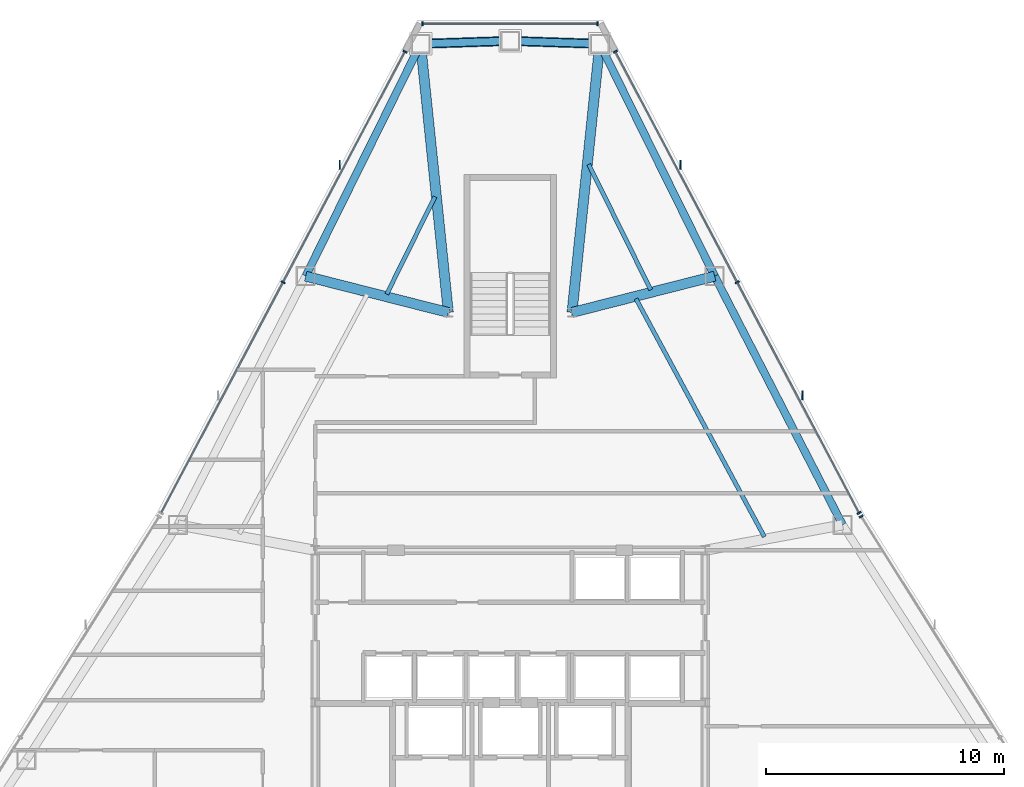
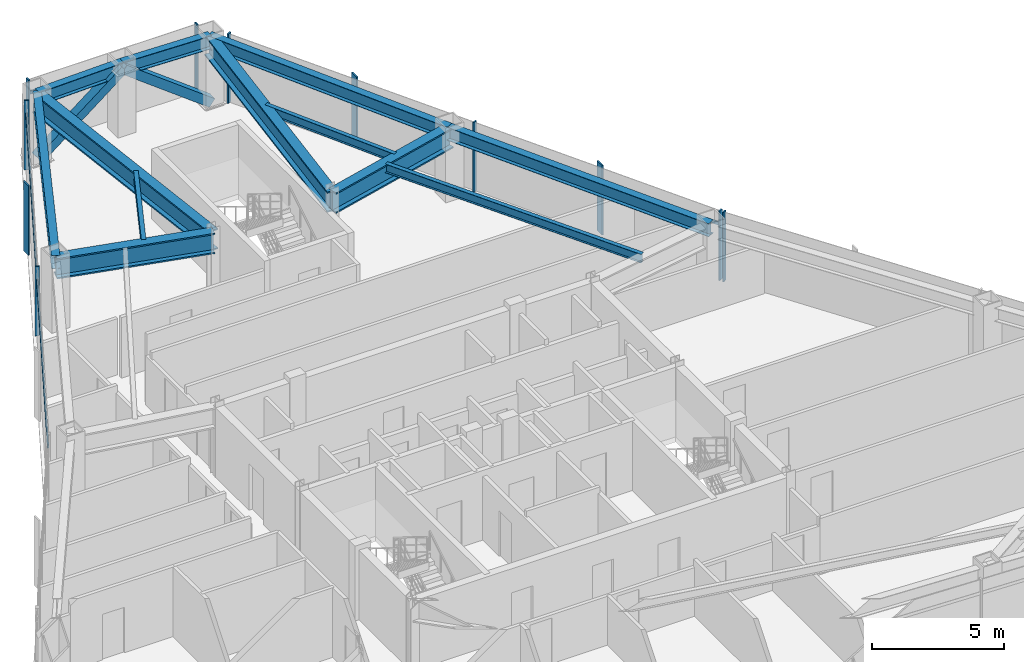
# One storey, part 8 of 13: 16 members, 12 beams, 4 elements without a shape of their own.
"""IFC4 building model written with IfcOpenShell, lengths in metres."""

from ifc_helpers import new_model, si_unit, direction, frame, origin, origin_2d, place, context, subcontext, project, spatial, rectangle, hollow_rectangle, i_section, extrude, source, transform, mapped, material, layer, layer_set, material_profile, profile_set, type_object, type_shapes, element, aggregate, save


model = new_model("IFC4")

# Units and contexts
model_context = context("Model", 3, precision=1e-05, world=origin(), true_north=direction((0.0, 1.0)))
body_context = subcontext(model_context, "Body", "Model", "MODEL_VIEW")
ifc_project = project(units=[si_unit("LENGTHUNIT", "METRE"), si_unit("AREAUNIT", "SQUARE_METRE"), si_unit("VOLUMEUNIT", "CUBIC_METRE"), si_unit("PLANEANGLEUNIT", "RADIAN"), si_unit("MASSUNIT", "GRAM", prefix="KILO")], contexts=[model_context])

# Site, building, storey
site_placement = place(None, origin())
site = spatial("IfcSite", under=ifc_project, at=site_placement, CompositionType="ELEMENT")
building_placement = place(site_placement, origin())
building = spatial("IfcBuilding", under=site, at=building_placement, Name="Varakhsha Concourse Tower", CompositionType="ELEMENT")
storey_placement = place(building_placement, frame((0.0, 0.0, 175.800048828125)))
storey = spatial("IfcBuildingStorey", under=building, at=storey_placement, Name="L50", CompositionType="ELEMENT", Elevation=175.800048828125)

# Beams
ifc_material_1 = material(Name="Structural Steel ASTM A992 Grade 50", Category="steel")
ifc_material_profile_1 = material_profile(ifc_material_1, i_section(OverallWidth=0.177978515625, OverallDepth=0.406982421875, WebThickness=0.008056640625, FlangeThickness=0.012939453125, at=origin_2d()), Name="W16X40")
ifc_profile_set_1 = profile_set([ifc_material_profile_1], Name="Structural Steel ASTM A992 Grade 50")
beam_type_1 = type_object("IfcBeamType", Name="BM-JST-W16X40", PredefinedType="JOIST", material=ifc_profile_set_1)
beam_1_placement = place(storey_placement, frame((36.837890625, 46.0712890625, 3.00634765625), z_axis=(-0.443303479833, -0.896371588555, 0.0), x_axis=(0.896371588555, -0.443303479833, 0.0)))
element("IfcBeam", 1, at=beam_1_placement, inside=storey, type_object=beam_type_1, Name="BM-TJST-L50-03", PredefinedType="JOIST", context=body_context, shape_type="SweptSolid", body=[
    extrude(i_section(OverallWidth=0.177978515625, OverallDepth=0.406982421875, WebThickness=0.008056640625, FlangeThickness=0.012939453125, at=origin_2d()), origin(), (0.0, 0.0, 1.0), 4.575439453125),
])
beam_2_placement = place(storey_placement, frame((50.689453125, 31.767333984375, 3.00634765625), z_axis=(-0.474748881481, 0.880121298193, 0.0), x_axis=(-0.880121298193, -0.474748881481, 0.0)))
element("IfcBeam", 2, at=beam_2_placement, inside=storey, type_object=beam_type_1, Name="BM-TJST-L50-17", PredefinedType="JOIST", context=body_context, shape_type="SweptSolid", body=[
    extrude(i_section(OverallWidth=0.177978515625, OverallDepth=0.406982421875, WebThickness=0.008056640625, FlangeThickness=0.012939453125, at=origin_2d()), origin(), (0.0, 0.0, 1.0), 11.3701171875),
])
beam_3_placement = place(storey_placement, frame((45.910400390625, 42.15283203125, 3.00634765625), z_axis=(-0.443325509195, 0.896360693525, 0.0), x_axis=(-0.896360693525, -0.443325509195, 0.0)))
element("IfcBeam", 3, at=beam_3_placement, inside=storey, type_object=beam_type_1, Name="BM-TJST-L50-18", PredefinedType="JOIST", context=body_context, shape_type="SweptSolid", body=[
    extrude(i_section(OverallWidth=0.177978515625, OverallDepth=0.406982421875, WebThickness=0.008056640625, FlangeThickness=0.012939453125, at=origin_2d()), origin(), (0.0, 0.0, 1.0), 5.8837890625),
])
ifc_material_profile_2 = material_profile(ifc_material_1, i_section(OverallWidth=0.423095703125, OverallDepth=0.947998046875, WebThickness=0.0380859375, FlangeThickness=0.06396484375, at=origin_2d()), Name="W36X302")
ifc_profile_set_2 = profile_set([ifc_material_profile_2], Name="Structural Steel ASTM A992 Grade 50")
beam_type_2 = type_object("IfcBeamType", Name="BM-OUTR-W36X302", PredefinedType="USERDEFINED", material=ifc_profile_set_2)
for number, where, z_axis, x_axis, name in (
    (4, (42.60009765625, 41.199951171875, 2.73583984375), (0.102728235159, 0.994709459944, 0.0), (-0.994709459944, 0.102728235159, 0.0), "L50 Radial Floor Girder 01"),
    (5, (37.39990234375, 41.199951171875, 2.73583984375), (-0.102728235159, 0.994709459944, 0.0), (-0.994709459944, -0.102728235159, 0.0), "L50 Radial Floor Girder 03"),
):
    element("IfcBeam", number, at=place(storey_placement, frame(where, z_axis=z_axis, x_axis=x_axis)), inside=storey, type_object=beam_type_2, Name=name, ObjectType="GIRDER", PredefinedType="USERDEFINED", context=body_context, shape_type="SweptSolid", body=[
        extrude(i_section(OverallWidth=0.423095703125, OverallDepth=0.947998046875, WebThickness=0.0380859375, FlangeThickness=0.06396484375, at=origin_2d()), origin(), (0.0, 0.0, 1.0), 11.355224609375),
    ])
for number, where, z_axis, x_axis, name in (
    (6, (37.39990234375, 41.199951171875, 2.73583984375), (-0.969143619734, 0.246496743039, 0.0), (-0.246496743039, -0.969143619734, 0.0), "L50 Radial Floor Girder 04"),
    (7, (42.60009765625, 41.199951171875, 2.73583984375), (0.969143619734, 0.246496743039, 0.0), (-0.246496743039, 0.969143619734, 0.0), "L50 Radial Floor Girder 18"),
):
    element("IfcBeam", number, at=place(storey_placement, frame(where, z_axis=z_axis, x_axis=x_axis)), inside=storey, type_object=beam_type_2, Name=name, ObjectType="GIRDER", PredefinedType="USERDEFINED", context=body_context, shape_type="SweptSolid", body=[
        extrude(i_section(OverallWidth=0.423095703125, OverallDepth=0.947998046875, WebThickness=0.0380859375, FlangeThickness=0.06396484375, at=origin_2d()), origin(), (0.0, 0.0, 1.0), 6.189208984375),
    ])
ifc_material_profile_3 = material_profile(ifc_material_1, i_section(OverallWidth=0.323974609375, OverallDepth=0.611083984375, WebThickness=0.012939453125, FlangeThickness=0.01904296875, at=origin_2d()), Name="W24X104")
ifc_profile_set_3 = profile_set([ifc_material_profile_3], Name="Structural Steel ASTM A992 Grade 50")
beam_type_3 = type_object("IfcBeamType", Name="BM-SPAN-W24X104", PredefinedType="SPANDREL", material=ifc_profile_set_3)
for number, where, z_axis, x_axis, name in (
    (8, (43.7666015625, 52.4951171875, 2.904541015625), (-0.999464715479, 0.032715172499, 0.0), (-0.032715172499, -0.999464715479, 0.0), "BM-SPAN-L50-01"),
    (9, (40.0, 52.618408203125, 2.904541015625), (-0.999464715479, -0.032715172499, 0.0), (0.032715172499, -0.999464715479, 0.0), "BM-SPAN-L50-02"),
):
    element("IfcBeam", number, at=place(storey_placement, frame(where, z_axis=z_axis, x_axis=x_axis)), inside=storey, type_object=beam_type_3, Name=name, PredefinedType="SPANDREL", context=body_context, shape_type="SweptSolid", body=[
        extrude(i_section(OverallWidth=0.323974609375, OverallDepth=0.611083984375, WebThickness=0.012939453125, FlangeThickness=0.01904296875, at=origin_2d()), origin(), (0.0, 0.0, 1.0), 3.7685546875),
    ])
beam_4_placement = place(storey_placement, frame((36.2333984375, 52.4951171875, 2.904541015625), z_axis=(-0.443320708592, -0.89636306781, 0.0), x_axis=(0.89636306781, -0.443320708592, 0.0)))
element("IfcBeam", 10, at=beam_4_placement, inside=storey, type_object=beam_type_3, Name="BM-SPAN-L50-03", PredefinedType="SPANDREL", context=body_context, shape_type="SweptSolid", body=[
    extrude(i_section(OverallWidth=0.323974609375, OverallDepth=0.611083984375, WebThickness=0.012939453125, FlangeThickness=0.01904296875, at=origin_2d()), origin(), (0.0, 0.0, 1.0), 10.899169921875),
])
beam_5_placement = place(storey_placement, frame((53.976318359375, 32.269287109375, 2.904541015625), z_axis=(-0.457375223262, 0.889273807748, 0.0), x_axis=(-0.889273807748, -0.457375223262, 0.0)))
element("IfcBeam", 11, at=beam_5_placement, inside=storey, type_object=beam_type_3, Name="BM-SPAN-L50-17", PredefinedType="SPANDREL", context=body_context, shape_type="SweptSolid", body=[
    extrude(i_section(OverallWidth=0.323974609375, OverallDepth=0.611083984375, WebThickness=0.012939453125, FlangeThickness=0.01904296875, at=origin_2d()), origin(), (0.0, 0.0, 1.0), 11.75830078125),
])
beam_6_placement = place(storey_placement, frame((48.598388671875, 42.7255859375, 2.904541015625), z_axis=(-0.443320708592, 0.89636306781, 0.0), x_axis=(-0.89636306781, -0.443320708592, 0.0)))
element("IfcBeam", 12, at=beam_6_placement, inside=storey, type_object=beam_type_3, Name="BM-SPAN-L50-18", PredefinedType="SPANDREL", context=body_context, shape_type="SweptSolid", body=[
    extrude(i_section(OverallWidth=0.323974609375, OverallDepth=0.611083984375, WebThickness=0.012939453125, FlangeThickness=0.01904296875, at=origin_2d()), origin(), (0.0, 0.0, 1.0), 10.899169921875),
])

# Members
ifc_material_2 = material(Name="Structural Steel ASTM A500 Grade C", Category="steel")
ifc_material_profile_4 = material_profile(ifc_material_2, hollow_rectangle(XDim=0.39990234375, YDim=0.39990234375, WallThickness=0.01611328125, at=origin_2d()), Name="HSS 400x400x16")
ifc_profile_set_4 = profile_set([ifc_material_profile_4], Name="Structural Steel ASTM A500 Grade C")
member_type_1 = type_object("IfcMemberType", Name="MB-TUBE-HSS400", PredefinedType="BRACE", material=ifc_profile_set_4)
shared_shape_1 = source(origin(), body_context, "Body", "SweptSolid", [
    extrude(hollow_rectangle(XDim=0.39990234375, YDim=0.39990234375, WallThickness=0.01611328125, at=origin_2d()), origin(), (0.0, 0.0, 1.0), 4.68896484375),
])
type_shapes(member_type_1, [shared_shape_1])
for number, where, z_axis, x_axis, name in (
    (13, (43.7666015625, 52.4951171875, 0.119873046875), (-0.803283063306, 0.026293618549, 0.595016777772), (-0.032715172499, -0.999464715479, 0.0), "L50 Wind-Corner Tube Brace B01"),
    (14, (36.2333984375, 52.4951171875, 0.119873046875), (0.803283063306, 0.026293618549, 0.595016777772), (-0.032715172499, 0.999464715479, 0.0), "L50 Wind-Corner Tube Brace B02"),
):
    element("IfcMember", number, at=place(storey_placement, frame(where, z_axis=z_axis, x_axis=x_axis)), inside=storey, type_object=member_type_1, Name=name, PredefinedType="BRACE", context=body_context, shape_type="MappedRepresentation", body=[
        mapped(shared_shape_1, transform((0.0, 0.0, 0.0), scale=1.0)),
    ])

# Curtain wall, member
ifc_material_3 = material(Name="Anodised Bronze Architectural Aluminium AA 6063-T6", Category="aluminium")
ifc_layer = layer(ifc_material_3, 0.2099609375, Name="CW-SYS-04")
ifc_layer_set = layer_set([ifc_layer], Name="Anodised Bronze Architectural Aluminium AA 6063-T6")
curtain_wall_type = type_object("IfcCurtainWallType", Name="CW-SYS-04", PredefinedType="NOTDEFINED", material=ifc_layer_set)
curtain_wall_1_placement = place(storey_placement, origin())
curtain_wall_1 = element("IfcCurtainWall", 15, at=curtain_wall_1_placement, inside=storey, type_object=curtain_wall_type, Name="L50 Crystal Curtain Wall F2", PredefinedType="NOTDEFINED")
ifc_material_profile_5 = material_profile(ifc_material_3, rectangle(XDim=0.06005859375, YDim=0.3798828125, at=origin_2d()), Name="FIN-BRZ-380")
ifc_profile_set_5 = profile_set([ifc_material_profile_5], Name="Anodised Bronze Architectural Aluminium AA 6063-T6")
member_type_2 = type_object("IfcMemberType", Name="FIN-BRZ-380", PredefinedType="USERDEFINED", material=ifc_profile_set_5)
shared_shape_2 = source(origin(), body_context, "Body", "SweptSolid", [
    extrude(rectangle(XDim=0.06005859375, YDim=0.3798828125, at=origin_2d()), origin(), (0.0, 0.0, 1.0), 3.2099609375),
])
type_shapes(member_type_2, [shared_shape_2])
member_1_placement = place(storey_placement, frame((32.833740234375, 47.414794921875, 0.0), z_axis=(0.0, 0.0, 1.0), x_axis=(1.0, 0.0, 0.0)))
member_1 = element("IfcMember", 16, at=member_1_placement, type_object=member_type_2, Name="L50 Anodised Bronze Solar Fin F2-2", ObjectType="SOLAR FIN", PredefinedType="USERDEFINED", context=body_context, shape_type="MappedRepresentation", body=[
    mapped(shared_shape_2, transform((0.0, 0.0, 0.0), scale=1.0)),
])

# Curtain wall, members
curtain_wall_2_placement = place(storey_placement, origin())
curtain_wall_2 = element("IfcCurtainWall", 17, at=curtain_wall_2_placement, inside=storey, type_object=curtain_wall_type, Name="L50 Crystal Curtain Wall F9", PredefinedType="NOTDEFINED")
member_2_placement = place(storey_placement, frame((47.166259765625, 47.414794921875, 0.0), z_axis=(0.0, 0.0, 1.0), x_axis=(1.0, 0.0, 0.0)))
member_2 = element("IfcMember", 18, at=member_2_placement, type_object=member_type_2, Name="L50 Anodised Bronze Solar Fin F9-1", ObjectType="SOLAR FIN", PredefinedType="USERDEFINED", context=body_context, shape_type="MappedRepresentation", body=[
    mapped(shared_shape_2, transform((0.0, 0.0, 0.0), scale=1.0)),
])
member_3_placement = place(storey_placement, frame((52.292236328125, 37.71630859375, 0.0), z_axis=(0.0, 0.0, 1.0), x_axis=(1.0, 0.0, 0.0)))
member_3 = element("IfcMember", 19, at=member_3_placement, type_object=member_type_2, Name="L50 Anodised Bronze Solar Fin F9-2", ObjectType="SOLAR FIN", PredefinedType="USERDEFINED", context=body_context, shape_type="MappedRepresentation", body=[
    mapped(shared_shape_2, transform((0.0, 0.0, 0.0), scale=1.0)),
])

curtain_wall_3_placement = place(storey_placement, origin())
curtain_wall_3 = element("IfcCurtainWall", 20, at=curtain_wall_3_placement, inside=storey, type_object=curtain_wall_type, Name="L50 Chamfer Curtain Wall F1", PredefinedType="NOTDEFINED")
ifc_material_profile_6 = material_profile(ifc_material_3, rectangle(XDim=0.06494140625, YDim=0.179931640625, at=origin_2d()), Name="CWM-180X65")
ifc_profile_set_6 = profile_set([ifc_material_profile_6], Name="Anodised Bronze Architectural Aluminium AA 6063-T6")
member_type_3 = type_object("IfcMemberType", Name="CWM-180X65", PredefinedType="MULLION", material=ifc_profile_set_6)
shared_shape_3 = source(origin(), body_context, "Body", "SweptSolid", [
    extrude(rectangle(XDim=0.06494140625, YDim=0.179931640625, at=origin_2d()), origin(), (0.0, 0.0, 1.0), 3.2099609375),
])
type_shapes(member_type_3, [shared_shape_3])
member_4_placement = place(storey_placement, frame((36.320068359375, 53.33837890625, 0.0), z_axis=(0.0, 0.0, 1.0), x_axis=(1.0, 0.0, 0.0)))
member_4 = element("IfcMember", 21, at=member_4_placement, type_object=member_type_3, Name="CW-L50-F1 Mullion 00", PredefinedType="MULLION", context=body_context, shape_type="MappedRepresentation", body=[
    mapped(shared_shape_3, transform((0.0, 0.0, 0.0), scale=1.0)),
])
member_5_placement = place(storey_placement, frame((43.679931640625, 53.33837890625, 0.0), z_axis=(0.0, 0.0, 1.0), x_axis=(1.0, 0.0, 0.0)))
member_5 = element("IfcMember", 22, at=member_5_placement, type_object=member_type_3, Name="CW-L50-F1 Mullion 01", PredefinedType="MULLION", context=body_context, shape_type="MappedRepresentation", body=[
    mapped(shared_shape_3, transform((0.0, 0.0, 0.0), scale=1.0)),
])

# Member
member_6_placement = place(storey_placement, frame((30.451904296875, 42.4697265625, 0.0), z_axis=(0.0, 0.0, 1.0), x_axis=(0.46728648373, 0.884105956389, 0.0)))
member_6 = element("IfcMember", 23, at=member_6_placement, type_object=member_type_3, Name="CW-L50-F2 Mullion 01", PredefinedType="MULLION", context=body_context, shape_type="MappedRepresentation", body=[
    mapped(shared_shape_3, transform((0.0, 0.0, 0.0), scale=1.0)),
])

member_7_placement = place(storey_placement, frame((35.577880859375, 52.168212890625, 0.0), z_axis=(0.0, 0.0, 1.0), x_axis=(0.46728648373, 0.884105956389, 0.0)))
member_7 = element("IfcMember", 24, at=member_7_placement, type_object=member_type_3, Name="CW-L50-F2 Mullion 02", PredefinedType="MULLION", context=body_context, shape_type="MappedRepresentation", body=[
    mapped(shared_shape_3, transform((0.0, 0.0, 0.0), scale=1.0)),
])

# Curtain wall, member
curtain_wall_4_placement = place(storey_placement, origin())
curtain_wall_4 = element("IfcCurtainWall", 25, at=curtain_wall_4_placement, inside=storey, type_object=curtain_wall_type, Name="L50 Crystal Curtain Wall F8", PredefinedType="NOTDEFINED")
member_8_placement = place(storey_placement, frame((54.760009765625, 32.622314453125, 0.0), z_axis=(0.0, 0.0, 1.0), x_axis=(0.532022365141, -0.846730301212, 0.0)))
member_8 = element("IfcMember", 26, at=member_8_placement, type_object=member_type_3, Name="CW-L50-F8 Mullion 00", PredefinedType="MULLION", context=body_context, shape_type="MappedRepresentation", body=[
    mapped(shared_shape_3, transform((0.0, 0.0, 0.0), scale=1.0)),
])
aggregate(curtain_wall_4, [member_8])

# Member
member_9_placement = place(storey_placement, frame((44.422119140625, 52.168212890625, 0.0), z_axis=(0.0, 0.0, 1.0), x_axis=(0.46728648373, -0.884105956389, 0.0)))
member_9 = element("IfcMember", 27, at=member_9_placement, type_object=member_type_3, Name="CW-L50-F9 Mullion 00", PredefinedType="MULLION", context=body_context, shape_type="MappedRepresentation", body=[
    mapped(shared_shape_3, transform((0.0, 0.0, 0.0), scale=1.0)),
])

member_10_placement = place(storey_placement, frame((49.548095703125, 42.4697265625, 0.0), z_axis=(0.0, 0.0, 1.0), x_axis=(0.46728648373, -0.884105956389, 0.0)))
member_10 = element("IfcMember", 28, at=member_10_placement, type_object=member_type_3, Name="CW-L50-F9 Mullion 01", PredefinedType="MULLION", context=body_context, shape_type="MappedRepresentation", body=[
    mapped(shared_shape_3, transform((0.0, 0.0, 0.0), scale=1.0)),
])

member_11_placement = place(storey_placement, frame((54.674072265625, 32.771240234375, 0.0), z_axis=(0.0, 0.0, 1.0), x_axis=(0.46728648373, -0.884105956389, 0.0)))
member_11 = element("IfcMember", 29, at=member_11_placement, type_object=member_type_3, Name="CW-L50-F9 Mullion 02", PredefinedType="MULLION", context=body_context, shape_type="MappedRepresentation", body=[
    mapped(shared_shape_3, transform((0.0, 0.0, 0.0), scale=1.0)),
])

ifc_material_profile_7 = material_profile(ifc_material_3, rectangle(XDim=0.06005859375, YDim=0.139892578125, at=origin_2d()), Name="CWT-140X60")
ifc_profile_set_7 = profile_set([ifc_material_profile_7], Name="Anodised Bronze Architectural Aluminium AA 6063-T6")
member_type_4 = type_object("IfcMemberType", Name="CWT-140X60", PredefinedType="USERDEFINED", material=ifc_profile_set_7)
shared_shape_4 = source(origin(), body_context, "Body", "SweptSolid", [
    extrude(rectangle(XDim=0.06005859375, YDim=0.139892578125, at=origin_2d()), origin(), (0.0, 0.0, 1.0), 21.939697265625),
])
member_12_placement = place(storey_placement, frame((25.325927734375, 32.771240234375, 2.56005859375), z_axis=(0.467281231971, 0.884108732141, 0.0), x_axis=(-0.884108732141, 0.467281231971, 0.0)))
member_12 = element("IfcMember", 30, at=member_12_placement, type_object=member_type_4, Name="CW-L50-F2 Transom 01", ObjectType="TRANSOM", PredefinedType="USERDEFINED", context=body_context, shape_type="MappedRepresentation", body=[
    mapped(shared_shape_4, transform((0.0, 0.0, 0.0), scale=1.0)),
])

aggregate(curtain_wall_1, [member_6, member_7, member_12, member_1])

member_13_placement = place(storey_placement, frame((44.422119140625, 52.168212890625, 2.56005859375), z_axis=(0.467281231971, -0.884108732141, 0.0), x_axis=(0.884108732141, 0.467281231971, 0.0)))
member_13 = element("IfcMember", 31, at=member_13_placement, type_object=member_type_4, Name="CW-L50-F9 Transom 01", ObjectType="TRANSOM", PredefinedType="USERDEFINED", context=body_context, shape_type="MappedRepresentation", body=[
    mapped(shared_shape_4, transform((0.0, 0.0, 0.0), scale=1.0)),
])

aggregate(curtain_wall_2, [member_9, member_10, member_11, member_13, member_2, member_3])

shared_shape_5 = source(origin(), body_context, "Body", "SweptSolid", [
    extrude(rectangle(XDim=0.06005859375, YDim=0.139892578125, at=origin_2d()), origin(), (0.0, 0.0, 1.0), 7.35986328125),
])
type_shapes(member_type_4, [shared_shape_4, shared_shape_5])
member_14_placement = place(storey_placement, frame((36.320068359375, 53.33837890625, 2.56005859375), z_axis=(1.0, 0.0, 0.0), x_axis=(0.0, 1.0, 0.0)))
member_14 = element("IfcMember", 32, at=member_14_placement, type_object=member_type_4, Name="CW-L50-F1 Transom 01", ObjectType="TRANSOM", PredefinedType="USERDEFINED", context=body_context, shape_type="MappedRepresentation", body=[
    mapped(shared_shape_5, transform((0.0, 0.0, 0.0), scale=1.0)),
])

aggregate(curtain_wall_3, [member_4, member_5, member_14])

save(model, "model.ifc")
